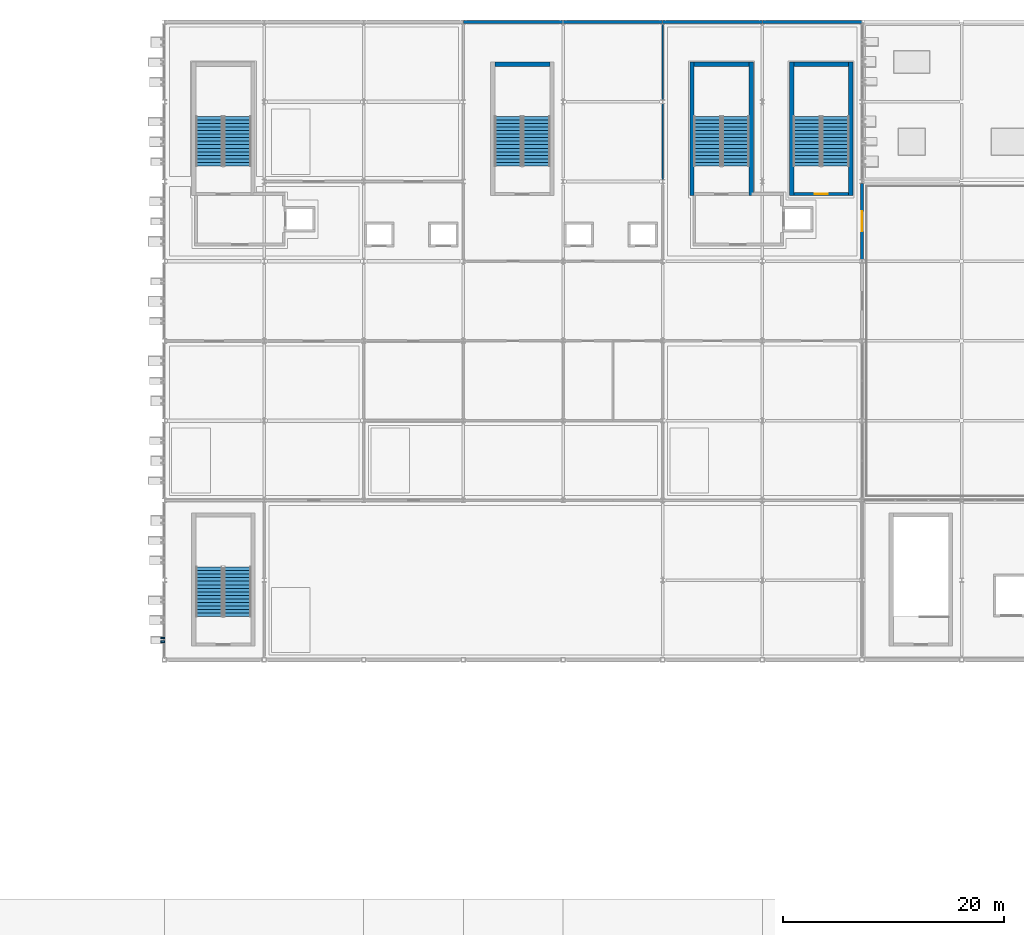
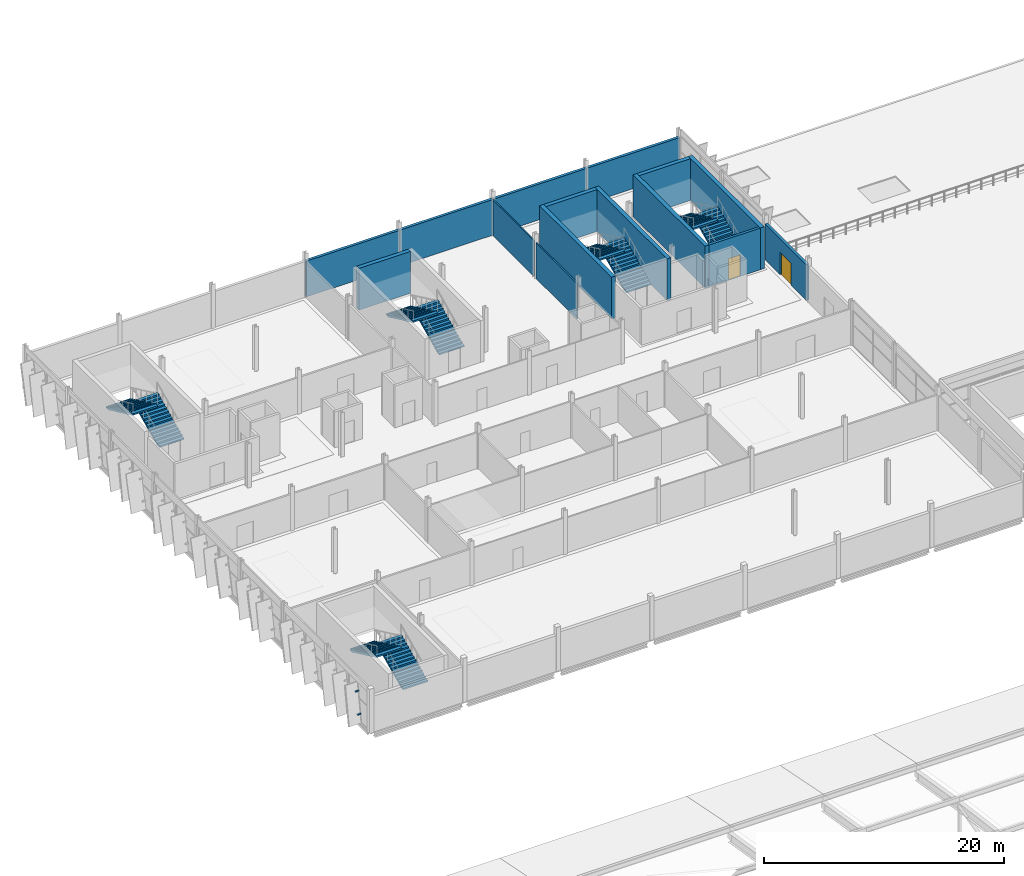
# One storey, part 68 of 78: 15 walls, 10 stair flights, 2 discrete accessories, 2 doors, 2 openings, 5 elements without a shape of their own.
"""IFC4 building model written with IfcOpenShell, lengths in metres."""

from ifc_helpers import new_model, si_unit, direction, frame, frame_2d, origin, origin_2d, place, context, subcontext, project, spatial, polyline, rectangle, outline, extrude, material, layer, layer_set, type_object, element, fill, aggregate, save


model = new_model("IFC4")

# Units and contexts
model_context = context("Model", 3, precision=1e-05, world=origin(), true_north=direction((0.0, 1.0)))
body_context = subcontext(model_context, "Body", "Model", "MODEL_VIEW")
ifc_project = project(units=[si_unit("LENGTHUNIT", "METRE"), si_unit("AREAUNIT", "SQUARE_METRE"), si_unit("VOLUMEUNIT", "CUBIC_METRE"), si_unit("PLANEANGLEUNIT", "RADIAN"), si_unit("MASSUNIT", "GRAM", prefix="KILO")], contexts=[model_context])

# Site, building, storey
site_placement = place(None, origin())
site = spatial("IfcSite", under=ifc_project, at=site_placement, CompositionType="ELEMENT")
building_placement = place(site_placement, origin())
building = spatial("IfcBuilding", under=site, at=building_placement, Name="Celestram Park Convention Centre", CompositionType="ELEMENT")
storey_placement = place(building_placement, frame((0.0, 0.0, 19.800048828125)))
storey = spatial("IfcBuildingStorey", under=building, at=storey_placement, Name="L04", CompositionType="ELEMENT", Elevation=19.800048828125)

# Wall, opening, door
ifc_material_1 = material(Name="Concrete Block Masonry C25/30", Category="masonry")
ifc_layer_1 = layer(ifc_material_1, 0.25)
ifc_layer_set_1 = layer_set([ifc_layer_1], Name="Concrete Block Masonry C25/30")
wall_type_1 = type_object("IfcWallType", Name="ARC-WL-COR250", PredefinedType="STANDARD", material=ifc_layer_set_1)
wall_1_placement = place(storey_placement, frame((92.840087890625, 150.074951171875, 0.0), z_axis=(0.0, 0.0, 1.0), x_axis=(1.0, 0.0, 0.0)))
wall_1 = element("IfcWall", 1, at=wall_1_placement, inside=storey, type_object=wall_type_1, Name="Core S19 stair entrance wall", PredefinedType="STANDARD", context=body_context, shape_type="SweptSolid", body=[
    extrude(rectangle(XDim=4.9599609375, YDim=0.25, at=frame_2d((2.47998046875, 0.0))), origin(), (0.0, 0.0, 1.0), 4.25),
])
opening_1_placement = place(wall_1_placement, frame((1.905029296875, 0.0, 0.0)))
opening_1 = element("IfcOpeningElement", 2, at=opening_1_placement, cuts=wall_1, Name="Opening D-ST1", PredefinedType="OPENING", context=body_context, shape_type="SweptSolid", body=[
    extrude(rectangle(XDim=1.14990234375, YDim=2.199951171875, at=frame_2d((0.574951171875, 1.10009765625))), frame((0.0, 0.135009765625, 0.0), z_axis=(0.0, -1.0, 0.0), x_axis=(1.0, 0.0, 0.0)), (0.0, 0.0, 1.0), 0.27001953125),
])
ifc_material_2 = material(Name="Fire-Rated Hollow Metal Steel ASTM A653", Category="steel")
door_type_1 = type_object("IfcDoorType", Name="ARC-DR-ST115", OperationType="NOTDEFINED", PredefinedType="DOOR", material=ifc_material_2)
door_1_placement = place(opening_1_placement, origin())
door_1 = element("IfcDoor", 3, at=door_1_placement, inside=storey, type_object=door_type_1, Name="Exit stair ST-19 fire door", OperationType="SINGLE_SWING_RIGHT", OverallHeight=2.199951171875, OverallWidth=1.14990234375, PredefinedType="DOOR", context=body_context, shape_type="SweptSolid", body=[
    extrude(rectangle(XDim=1.14990234375, YDim=2.199951171875, at=frame_2d((0.574951171875, 1.10009765625))), frame((0.0, 0.02490234375, 0.0), z_axis=(0.0, -1.0, 0.0), x_axis=(1.0, 0.0, 0.0)), (0.0, 0.0, 1.0), 0.050048828125),
])
fill(opening_1, door_1)

# Walls
ifc_material_3 = material(Name="Precast Concrete C40/50", Category="concrete")
ifc_layer_2 = layer(ifc_material_3, 0.260009765625)
ifc_layer_set_2 = layer_set([ifc_layer_2], Name="Precast Concrete C40/50")
wall_type_2 = type_object("IfcWallType", Name="ARC-WL-EXT260", PredefinedType="STANDARD", material=ifc_layer_set_2)
wall_2_placement = place(storey_placement, frame((63.006103515625, 165.60009765625, 0.0), z_axis=(0.0, 0.0, 1.0), x_axis=(1.0, 0.0, 0.0)))
element("IfcWall", 4, at=wall_2_placement, inside=storey, type_object=wall_type_2, Name="Bush-hammered precast exterior wall WL-L04-EW229", PredefinedType="STANDARD", context=body_context, shape_type="SweptSolid", body=[
    extrude(rectangle(XDim=8.989013671875, YDim=0.260009765625, at=frame_2d((4.49462890625, 0.0))), origin(), (0.0, 0.0, 1.0), 3.64794921875),
])
for number, where, z_axis, x_axis, name in (
    (5, (72.0048828125, 165.60009765625, 0.0), (0.0, 0.0, 1.0), (1.0, 0.0, 0.0), "Bush-hammered precast exterior wall WL-L04-EW230"),
    (6, (81.0048828125, 165.60009765625, 0.0), (0.0, 0.0, 1.0), (1.0, 0.0, 0.0), "Bush-hammered precast exterior wall WL-L04-EW231"),
    (7, (90.0048828125, 165.60009765625, 0.0), (0.0, 0.0, 1.0), (1.0, 0.0, 0.0), "Bush-hammered precast exterior wall WL-L04-EW232"),
):
    element("IfcWall", number, at=place(storey_placement, frame(where, z_axis=z_axis, x_axis=x_axis)), inside=storey, type_object=wall_type_2, Name=name, PredefinedType="STANDARD", context=body_context, shape_type="SweptSolid", body=[
        extrude(rectangle(XDim=8.990234375, YDim=0.260009765625, at=frame_2d((4.4951171875, 0.0))), origin(), (0.0, 0.0, 1.0), 3.64794921875),
    ])

# Wall, opening, door
wall_3_placement = place(storey_placement, frame((99.0, 151.02392578125, 0.0), z_axis=(0.0, 0.0, 1.0), x_axis=(0.0, -1.0, 0.0)))
wall_3 = element("IfcWall", 8, at=wall_3_placement, inside=storey, type_object=wall_type_2, Name="Bush-hammered precast exterior wall WL-L04-EW233", PredefinedType="STANDARD", context=body_context, shape_type="SweptSolid", body=[
    extrude(rectangle(XDim=6.847900390625, YDim=0.260009765625, at=frame_2d((3.423828125, 0.0))), origin(), (0.0, 0.0, 1.0), 3.64794921875),
])
opening_2_placement = place(wall_3_placement, frame((2.52392578125, 0.0, 0.0)))
opening_2 = element("IfcOpeningElement", 9, at=opening_2_placement, cuts=wall_3, Name="Opening D-TR1", PredefinedType="OPENING", context=body_context, shape_type="SweptSolid", body=[
    extrude(rectangle(XDim=1.800048828125, YDim=2.25, at=frame_2d((0.89990234375, 1.125))), frame((0.0, 0.139892578125, 0.0), z_axis=(0.0, -1.0, 0.0), x_axis=(1.0, 0.0, 0.0)), (0.0, 0.0, 1.0), 0.280029296875),
])
ifc_material_4 = material(Name="Anodised Aluminium & Tempered Glass", Category="aluminium")
door_type_2 = type_object("IfcDoorType", Name="ARC-DR-TR1800", OperationType="NOTDEFINED", PredefinedType="DOOR", material=ifc_material_4)
door_2_placement = place(opening_2_placement, origin())
door_2 = element("IfcDoor", 10, at=door_2_placement, inside=storey, type_object=door_type_2, Name="Planted roof terrace door DR-L04-TR01", OperationType="DOUBLE_DOOR_SINGLE_SWING", OverallHeight=2.25, OverallWidth=1.800048828125, PredefinedType="DOOR", context=body_context, shape_type="SweptSolid", body=[
    extrude(rectangle(XDim=1.800048828125, YDim=2.25, at=frame_2d((0.89990234375, 1.125))), frame((0.0, 0.02490234375, 0.0), z_axis=(0.0, -1.0, 0.0), x_axis=(1.0, 0.0, 0.0)), (0.0, 0.0, 1.0), 0.050048828125),
])
fill(opening_2, door_2)

# Walls
ifc_material_5 = material(Name="Standard Gypsum & Steel Stud 120 mm", Category="steel")
ifc_layer_3 = layer(ifc_material_5, 0.1201171875)
ifc_layer_set_3 = layer_set([ifc_layer_3], Name="Standard Gypsum & Steel Stud 120 mm")
wall_type_3 = type_object("IfcWallType", Name="ARC-WL-PRT120", PredefinedType="PARTITIONING", material=ifc_layer_set_3)
for number, where, z_axis, x_axis, name in (
    (11, (81.0, 151.3759765625, 0.0), (0.0, 0.0, 1.0), (0.0, 1.0, 0.0), "Interior partition WL-L04-IN0981"),
    (12, (81.0, 158.575927734375, 0.0), (0.0, 0.0, 1.0), (0.0, 1.0, 0.0), "Interior partition WL-L04-IN0982"),
):
    element("IfcWall", number, at=place(storey_placement, frame(where, z_axis=z_axis, x_axis=x_axis)), inside=storey, type_object=wall_type_3, Name=name, PredefinedType="PARTITIONING", context=body_context, shape_type="SweptSolid", body=[
        extrude(rectangle(XDim=6.84814453125, YDim=0.1201171875, at=frame_2d((3.424072265625, 0.0))), origin(), (0.0, 0.0, 1.0), 3.64794921875),
    ])
ifc_material_6 = material(Name="Concrete C40/50", Category="concrete")
ifc_layer_4 = layer(ifc_material_6, 0.3798828125)
ifc_layer_set_4 = layer_set([ifc_layer_4], Name="Concrete C40/50")
wall_type_4 = type_object("IfcWallType", Name="STR-WL-SHR380", PredefinedType="SHEAR", material=ifc_layer_set_4)
for number, where, z_axis, x_axis, name in (
    (13, (83.64990234375, 149.949951171875, 0.0), (0.0, 0.0, 1.0), (0.0, 1.0, 0.0), "Core C2 shear wall L"),
    (14, (88.989990234375, 161.97998046875, 0.0), (0.0, 0.0, 1.0), (0.0, -1.0, 0.0), "Core C2 shear wall R"),
):
    element("IfcWall", number, at=place(storey_placement, frame(where, z_axis=z_axis, x_axis=x_axis)), inside=storey, type_object=wall_type_4, Name=name, PredefinedType="SHEAR", context=body_context, shape_type="SweptSolid", body=[
        extrude(rectangle(XDim=12.030029296875, YDim=0.3798828125, at=frame_2d((6.01513671875, 0.0))), origin(), (0.0, 0.0, 1.0), 4.260009765625),
    ])
for number, where, z_axis, x_axis, name in (
    (15, (83.840087890625, 161.7900390625, 0.0), (0.0, 0.0, 1.0), (1.0, 0.0, 0.0), "Core C2 shear wall F"),
    (16, (65.840087890625, 161.7900390625, 0.0), (0.0, 0.0, 1.0), (1.0, 0.0, 0.0), "Core S14 shear wall F"),
):
    element("IfcWall", number, at=place(storey_placement, frame(where, z_axis=z_axis, x_axis=x_axis)), inside=storey, type_object=wall_type_4, Name=name, PredefinedType="SHEAR", context=body_context, shape_type="SweptSolid", body=[
        extrude(rectangle(XDim=4.9599609375, YDim=0.3798828125, at=frame_2d((2.47998046875, 0.0))), origin(), (0.0, 0.0, 1.0), 4.260009765625),
    ])
for number, where, z_axis, x_axis, name in (
    (17, (92.64990234375, 149.949951171875, 0.0), (0.0, 0.0, 1.0), (0.0, 1.0, 0.0), "Core S19 shear wall L"),
    (18, (97.989990234375, 161.97998046875, 0.0), (0.0, 0.0, 1.0), (0.0, -1.0, 0.0), "Core S19 shear wall R"),
):
    element("IfcWall", number, at=place(storey_placement, frame(where, z_axis=z_axis, x_axis=x_axis)), inside=storey, type_object=wall_type_4, Name=name, PredefinedType="SHEAR", context=body_context, shape_type="SweptSolid", body=[
        extrude(rectangle(XDim=12.030029296875, YDim=0.3798828125, at=frame_2d((6.01513671875, 0.0))), origin(), (0.0, 0.0, 1.0), 4.260009765625),
    ])
wall_4_placement = place(storey_placement, frame((92.840087890625, 161.7900390625, 0.0), z_axis=(0.0, 0.0, 1.0), x_axis=(1.0, 0.0, 0.0)))
element("IfcWall", 19, at=wall_4_placement, inside=storey, type_object=wall_type_4, Name="Core S19 shear wall F", PredefinedType="SHEAR", context=body_context, shape_type="SweptSolid", body=[
    extrude(rectangle(XDim=4.9599609375, YDim=0.3798828125, at=frame_2d((2.47998046875, 0.0))), origin(), (0.0, 0.0, 1.0), 4.260009765625),
])

# Stair, stair flights
stair_type = type_object("IfcStairType", Name="ARC-STR-DOG45", PredefinedType="HALF_TURN_STAIR", material=ifc_material_3)
stair_1_placement = place(storey_placement, origin())
stair_1 = element("IfcStair", 20, at=stair_1_placement, inside=storey, type_object=stair_type, Name="L04 Core C1 stair ST-01", PredefinedType="HALF_TURN_STAIR")
stair_flight_type = type_object("IfcStairFlightType", Name="ARC-FLT-15R", PredefinedType="STRAIGHT", material=ifc_material_3)
stair_flight_1_placement = place(storey_placement, frame((42.60009765625, 152.60009765625, 0.0), z_axis=(0.0, 0.0, 1.0), x_axis=(0.0, 1.0, 0.0)))
stair_flight_1 = element("IfcStairFlight", 21, at=stair_flight_1_placement, type_object=stair_flight_type, Name="ST-01 flight 1", NumberOfRisers=15, NumberOfTreads=14, PredefinedType="STRAIGHT", RiserHeight=0.15, TreadLength=0.32, context=body_context, shape_type="SweptSolid", body=[
    extrude(outline(polyline([(0.0, 0.0), (0.0, 0.14990234375), (0.320068359375, 0.14990234375), (0.320068359375, 0.300048828125), (0.639892578125, 0.300048828125), (0.639892578125, 0.449951171875), (0.9599609375, 0.449951171875), (0.9599609375, 0.60009765625), (1.280029296875, 0.60009765625), (1.280029296875, 0.75), (1.60009765625, 0.75), (1.60009765625, 0.89990234375), (1.919921875, 0.89990234375), (1.919921875, 1.050048828125), (2.239990234375, 1.050048828125), (2.239990234375, 1.199951171875), (2.56005859375, 1.199951171875), (2.56005859375, 1.35009765625), (2.8798828125, 1.35009765625), (2.8798828125, 1.5), (3.199951171875, 1.5), (3.199951171875, 1.64990234375), (3.52001953125, 1.64990234375), (3.52001953125, 1.800048828125), (3.840087890625, 1.800048828125), (3.840087890625, 1.949951171875), (4.159912109375, 1.949951171875), (4.159912109375, 2.10009765625), (4.47998046875, 2.10009765625), (4.47998046875, 2.25), (4.47998046875, 1.934326171875), (0.353271484375, 0.0), (0.0, 0.0)])), frame((0.0, 1.199951171875, 0.0), z_axis=(0.0, -1.0, 0.0), x_axis=(1.0, 0.0, 0.0)), (0.0, 0.0, 1.0), 2.39990234375),
])
stair_flight_2_placement = place(storey_placement, frame((40.0400390625, 157.080078125, 2.25), z_axis=(0.0, 0.0, 1.0), x_axis=(0.0, -1.0, 0.0)))
stair_flight_2 = element("IfcStairFlight", 22, at=stair_flight_2_placement, type_object=stair_flight_type, Name="ST-01 flight 2", NumberOfRisers=15, NumberOfTreads=14, PredefinedType="STRAIGHT", RiserHeight=0.15, TreadLength=0.32, context=body_context, shape_type="SweptSolid", body=[
    extrude(outline(polyline([(0.0, 0.0), (0.0, 0.14990234375), (0.320068359375, 0.14990234375), (0.320068359375, 0.300048828125), (0.639892578125, 0.300048828125), (0.639892578125, 0.449951171875), (0.9599609375, 0.449951171875), (0.9599609375, 0.60009765625), (1.280029296875, 0.60009765625), (1.280029296875, 0.75), (1.60009765625, 0.75), (1.60009765625, 0.89990234375), (1.919921875, 0.89990234375), (1.919921875, 1.050048828125), (2.239990234375, 1.050048828125), (2.239990234375, 1.199951171875), (2.56005859375, 1.199951171875), (2.56005859375, 1.35009765625), (2.8798828125, 1.35009765625), (2.8798828125, 1.5), (3.199951171875, 1.5), (3.199951171875, 1.64990234375), (3.52001953125, 1.64990234375), (3.52001953125, 1.800048828125), (3.840087890625, 1.800048828125), (3.840087890625, 1.949951171875), (4.159912109375, 1.949951171875), (4.159912109375, 2.10009765625), (4.47998046875, 2.10009765625), (4.47998046875, 2.25), (4.47998046875, 1.934326171875), (0.353271484375, 0.0), (0.0, 0.0)])), frame((0.0, 1.199951171875, 0.0), z_axis=(0.0, -1.0, 0.0), x_axis=(1.0, 0.0, 0.0)), (0.0, 0.0, 1.0), 2.39990234375),
])
aggregate(stair_1, [stair_flight_1, stair_flight_2])

stair_2_placement = place(storey_placement, origin())
stair_2 = element("IfcStair", 23, at=stair_2_placement, inside=storey, type_object=stair_type, Name="L04 Core C2 stair ST-02", PredefinedType="HALF_TURN_STAIR")
stair_flight_3_placement = place(storey_placement, frame((87.60009765625, 152.60009765625, 0.0), z_axis=(0.0, 0.0, 1.0), x_axis=(0.0, 1.0, 0.0)))
stair_flight_3 = element("IfcStairFlight", 24, at=stair_flight_3_placement, type_object=stair_flight_type, Name="ST-02 flight 1", NumberOfRisers=15, NumberOfTreads=14, PredefinedType="STRAIGHT", RiserHeight=0.15, TreadLength=0.32, context=body_context, shape_type="SweptSolid", body=[
    extrude(outline(polyline([(0.0, 0.0), (0.0, 0.14990234375), (0.320068359375, 0.14990234375), (0.320068359375, 0.300048828125), (0.639892578125, 0.300048828125), (0.639892578125, 0.449951171875), (0.9599609375, 0.449951171875), (0.9599609375, 0.60009765625), (1.280029296875, 0.60009765625), (1.280029296875, 0.75), (1.60009765625, 0.75), (1.60009765625, 0.89990234375), (1.919921875, 0.89990234375), (1.919921875, 1.050048828125), (2.239990234375, 1.050048828125), (2.239990234375, 1.199951171875), (2.56005859375, 1.199951171875), (2.56005859375, 1.35009765625), (2.8798828125, 1.35009765625), (2.8798828125, 1.5), (3.199951171875, 1.5), (3.199951171875, 1.64990234375), (3.52001953125, 1.64990234375), (3.52001953125, 1.800048828125), (3.840087890625, 1.800048828125), (3.840087890625, 1.949951171875), (4.159912109375, 1.949951171875), (4.159912109375, 2.10009765625), (4.47998046875, 2.10009765625), (4.47998046875, 2.25), (4.47998046875, 1.934326171875), (0.353271484375, 0.0), (0.0, 0.0)])), frame((0.0, 1.199951171875, 0.0), z_axis=(0.0, -1.0, 0.0), x_axis=(1.0, 0.0, 0.0)), (0.0, 0.0, 1.0), 2.39990234375),
])
stair_flight_4_placement = place(storey_placement, frame((85.0400390625, 157.080078125, 2.25), z_axis=(0.0, 0.0, 1.0), x_axis=(0.0, -1.0, 0.0)))
stair_flight_4 = element("IfcStairFlight", 25, at=stair_flight_4_placement, type_object=stair_flight_type, Name="ST-02 flight 2", NumberOfRisers=15, NumberOfTreads=14, PredefinedType="STRAIGHT", RiserHeight=0.15, TreadLength=0.32, context=body_context, shape_type="SweptSolid", body=[
    extrude(outline(polyline([(0.0, 0.0), (0.0, 0.14990234375), (0.320068359375, 0.14990234375), (0.320068359375, 0.300048828125), (0.639892578125, 0.300048828125), (0.639892578125, 0.449951171875), (0.9599609375, 0.449951171875), (0.9599609375, 0.60009765625), (1.280029296875, 0.60009765625), (1.280029296875, 0.75), (1.60009765625, 0.75), (1.60009765625, 0.89990234375), (1.919921875, 0.89990234375), (1.919921875, 1.050048828125), (2.239990234375, 1.050048828125), (2.239990234375, 1.199951171875), (2.56005859375, 1.199951171875), (2.56005859375, 1.35009765625), (2.8798828125, 1.35009765625), (2.8798828125, 1.5), (3.199951171875, 1.5), (3.199951171875, 1.64990234375), (3.52001953125, 1.64990234375), (3.52001953125, 1.800048828125), (3.840087890625, 1.800048828125), (3.840087890625, 1.949951171875), (4.159912109375, 1.949951171875), (4.159912109375, 2.10009765625), (4.47998046875, 2.10009765625), (4.47998046875, 2.25), (4.47998046875, 1.934326171875), (0.353271484375, 0.0), (0.0, 0.0)])), frame((0.0, 1.199951171875, 0.0), z_axis=(0.0, -1.0, 0.0), x_axis=(1.0, 0.0, 0.0)), (0.0, 0.0, 1.0), 2.39990234375),
])
aggregate(stair_2, [stair_flight_3, stair_flight_4])

stair_3_placement = place(storey_placement, origin())
stair_3 = element("IfcStair", 26, at=stair_3_placement, inside=storey, type_object=stair_type, Name="L04 Core S13 stair ST-13", PredefinedType="HALF_TURN_STAIR")
stair_flight_5_placement = place(storey_placement, frame((42.60009765625, 111.89990234375, 0.0), z_axis=(0.0, 0.0, 1.0), x_axis=(0.0, 1.0, 0.0)))
stair_flight_5 = element("IfcStairFlight", 27, at=stair_flight_5_placement, type_object=stair_flight_type, Name="ST-13 flight 1", NumberOfRisers=15, NumberOfTreads=14, PredefinedType="STRAIGHT", RiserHeight=0.15, TreadLength=0.32, context=body_context, shape_type="SweptSolid", body=[
    extrude(outline(polyline([(0.0, 0.0), (0.0, 0.14990234375), (0.320068359375, 0.14990234375), (0.320068359375, 0.300048828125), (0.639892578125, 0.300048828125), (0.639892578125, 0.449951171875), (0.9599609375, 0.449951171875), (0.9599609375, 0.60009765625), (1.280029296875, 0.60009765625), (1.280029296875, 0.75), (1.60009765625, 0.75), (1.60009765625, 0.89990234375), (1.919921875, 0.89990234375), (1.919921875, 1.050048828125), (2.239990234375, 1.050048828125), (2.239990234375, 1.199951171875), (2.56005859375, 1.199951171875), (2.56005859375, 1.35009765625), (2.8798828125, 1.35009765625), (2.8798828125, 1.5), (3.199951171875, 1.5), (3.199951171875, 1.64990234375), (3.52001953125, 1.64990234375), (3.52001953125, 1.800048828125), (3.840087890625, 1.800048828125), (3.840087890625, 1.949951171875), (4.159912109375, 1.949951171875), (4.159912109375, 2.10009765625), (4.47998046875, 2.10009765625), (4.47998046875, 2.25), (4.47998046875, 1.934326171875), (0.353271484375, 0.0), (0.0, 0.0)])), frame((0.0, 1.199951171875, 0.0), z_axis=(0.0, -1.0, 0.0), x_axis=(1.0, 0.0, 0.0)), (0.0, 0.0, 1.0), 2.39990234375),
])
stair_flight_6_placement = place(storey_placement, frame((40.0400390625, 116.3798828125, 2.25), z_axis=(0.0, 0.0, 1.0), x_axis=(0.0, -1.0, 0.0)))
stair_flight_6 = element("IfcStairFlight", 28, at=stair_flight_6_placement, type_object=stair_flight_type, Name="ST-13 flight 2", NumberOfRisers=15, NumberOfTreads=14, PredefinedType="STRAIGHT", RiserHeight=0.15, TreadLength=0.32, context=body_context, shape_type="SweptSolid", body=[
    extrude(outline(polyline([(0.0, 0.0), (0.0, 0.14990234375), (0.320068359375, 0.14990234375), (0.320068359375, 0.300048828125), (0.639892578125, 0.300048828125), (0.639892578125, 0.449951171875), (0.9599609375, 0.449951171875), (0.9599609375, 0.60009765625), (1.280029296875, 0.60009765625), (1.280029296875, 0.75), (1.60009765625, 0.75), (1.60009765625, 0.89990234375), (1.919921875, 0.89990234375), (1.919921875, 1.050048828125), (2.239990234375, 1.050048828125), (2.239990234375, 1.199951171875), (2.56005859375, 1.199951171875), (2.56005859375, 1.35009765625), (2.8798828125, 1.35009765625), (2.8798828125, 1.5), (3.199951171875, 1.5), (3.199951171875, 1.64990234375), (3.52001953125, 1.64990234375), (3.52001953125, 1.800048828125), (3.840087890625, 1.800048828125), (3.840087890625, 1.949951171875), (4.159912109375, 1.949951171875), (4.159912109375, 2.10009765625), (4.47998046875, 2.10009765625), (4.47998046875, 2.25), (4.47998046875, 1.934326171875), (0.353271484375, 0.0), (0.0, 0.0)])), frame((0.0, 1.199951171875, 0.0), z_axis=(0.0, -1.0, 0.0), x_axis=(1.0, 0.0, 0.0)), (0.0, 0.0, 1.0), 2.39990234375),
])
aggregate(stair_3, [stair_flight_5, stair_flight_6])

stair_4_placement = place(storey_placement, origin())
stair_4 = element("IfcStair", 29, at=stair_4_placement, inside=storey, type_object=stair_type, Name="L04 Core S14 stair ST-14", PredefinedType="HALF_TURN_STAIR")
stair_flight_7_placement = place(storey_placement, frame((69.60009765625, 152.60009765625, 0.0), z_axis=(0.0, 0.0, 1.0), x_axis=(0.0, 1.0, 0.0)))
stair_flight_7 = element("IfcStairFlight", 30, at=stair_flight_7_placement, type_object=stair_flight_type, Name="ST-14 flight 1", NumberOfRisers=15, NumberOfTreads=14, PredefinedType="STRAIGHT", RiserHeight=0.15, TreadLength=0.32, context=body_context, shape_type="SweptSolid", body=[
    extrude(outline(polyline([(0.0, 0.0), (0.0, 0.14990234375), (0.320068359375, 0.14990234375), (0.320068359375, 0.300048828125), (0.639892578125, 0.300048828125), (0.639892578125, 0.449951171875), (0.9599609375, 0.449951171875), (0.9599609375, 0.60009765625), (1.280029296875, 0.60009765625), (1.280029296875, 0.75), (1.60009765625, 0.75), (1.60009765625, 0.89990234375), (1.919921875, 0.89990234375), (1.919921875, 1.050048828125), (2.239990234375, 1.050048828125), (2.239990234375, 1.199951171875), (2.56005859375, 1.199951171875), (2.56005859375, 1.35009765625), (2.8798828125, 1.35009765625), (2.8798828125, 1.5), (3.199951171875, 1.5), (3.199951171875, 1.64990234375), (3.52001953125, 1.64990234375), (3.52001953125, 1.800048828125), (3.840087890625, 1.800048828125), (3.840087890625, 1.949951171875), (4.159912109375, 1.949951171875), (4.159912109375, 2.10009765625), (4.47998046875, 2.10009765625), (4.47998046875, 2.25), (4.47998046875, 1.934326171875), (0.353271484375, 0.0), (0.0, 0.0)])), frame((0.0, 1.199951171875, 0.0), z_axis=(0.0, -1.0, 0.0), x_axis=(1.0, 0.0, 0.0)), (0.0, 0.0, 1.0), 2.39990234375),
])
stair_flight_8_placement = place(storey_placement, frame((67.0400390625, 157.080078125, 2.25), z_axis=(0.0, 0.0, 1.0), x_axis=(0.0, -1.0, 0.0)))
stair_flight_8 = element("IfcStairFlight", 31, at=stair_flight_8_placement, type_object=stair_flight_type, Name="ST-14 flight 2", NumberOfRisers=15, NumberOfTreads=14, PredefinedType="STRAIGHT", RiserHeight=0.15, TreadLength=0.32, context=body_context, shape_type="SweptSolid", body=[
    extrude(outline(polyline([(0.0, 0.0), (0.0, 0.14990234375), (0.320068359375, 0.14990234375), (0.320068359375, 0.300048828125), (0.639892578125, 0.300048828125), (0.639892578125, 0.449951171875), (0.9599609375, 0.449951171875), (0.9599609375, 0.60009765625), (1.280029296875, 0.60009765625), (1.280029296875, 0.75), (1.60009765625, 0.75), (1.60009765625, 0.89990234375), (1.919921875, 0.89990234375), (1.919921875, 1.050048828125), (2.239990234375, 1.050048828125), (2.239990234375, 1.199951171875), (2.56005859375, 1.199951171875), (2.56005859375, 1.35009765625), (2.8798828125, 1.35009765625), (2.8798828125, 1.5), (3.199951171875, 1.5), (3.199951171875, 1.64990234375), (3.52001953125, 1.64990234375), (3.52001953125, 1.800048828125), (3.840087890625, 1.800048828125), (3.840087890625, 1.949951171875), (4.159912109375, 1.949951171875), (4.159912109375, 2.10009765625), (4.47998046875, 2.10009765625), (4.47998046875, 2.25), (4.47998046875, 1.934326171875), (0.353271484375, 0.0), (0.0, 0.0)])), frame((0.0, 1.199951171875, 0.0), z_axis=(0.0, -1.0, 0.0), x_axis=(1.0, 0.0, 0.0)), (0.0, 0.0, 1.0), 2.39990234375),
])
aggregate(stair_4, [stair_flight_7, stair_flight_8])

stair_5_placement = place(storey_placement, origin())
stair_5 = element("IfcStair", 32, at=stair_5_placement, inside=storey, type_object=stair_type, Name="L04 Core S19 stair ST-19", PredefinedType="HALF_TURN_STAIR")
stair_flight_9_placement = place(storey_placement, frame((96.60009765625, 152.60009765625, 0.0), z_axis=(0.0, 0.0, 1.0), x_axis=(0.0, 1.0, 0.0)))
stair_flight_9 = element("IfcStairFlight", 33, at=stair_flight_9_placement, type_object=stair_flight_type, Name="ST-19 flight 1", NumberOfRisers=15, NumberOfTreads=14, PredefinedType="STRAIGHT", RiserHeight=0.15, TreadLength=0.32, context=body_context, shape_type="SweptSolid", body=[
    extrude(outline(polyline([(0.0, 0.0), (0.0, 0.14990234375), (0.320068359375, 0.14990234375), (0.320068359375, 0.300048828125), (0.639892578125, 0.300048828125), (0.639892578125, 0.449951171875), (0.9599609375, 0.449951171875), (0.9599609375, 0.60009765625), (1.280029296875, 0.60009765625), (1.280029296875, 0.75), (1.60009765625, 0.75), (1.60009765625, 0.89990234375), (1.919921875, 0.89990234375), (1.919921875, 1.050048828125), (2.239990234375, 1.050048828125), (2.239990234375, 1.199951171875), (2.56005859375, 1.199951171875), (2.56005859375, 1.35009765625), (2.8798828125, 1.35009765625), (2.8798828125, 1.5), (3.199951171875, 1.5), (3.199951171875, 1.64990234375), (3.52001953125, 1.64990234375), (3.52001953125, 1.800048828125), (3.840087890625, 1.800048828125), (3.840087890625, 1.949951171875), (4.159912109375, 1.949951171875), (4.159912109375, 2.10009765625), (4.47998046875, 2.10009765625), (4.47998046875, 2.25), (4.47998046875, 1.934326171875), (0.353271484375, 0.0), (0.0, 0.0)])), frame((0.0, 1.199951171875, 0.0), z_axis=(0.0, -1.0, 0.0), x_axis=(1.0, 0.0, 0.0)), (0.0, 0.0, 1.0), 2.39990234375),
])
stair_flight_10_placement = place(storey_placement, frame((94.0400390625, 157.080078125, 2.25), z_axis=(0.0, 0.0, 1.0), x_axis=(0.0, -1.0, 0.0)))
stair_flight_10 = element("IfcStairFlight", 34, at=stair_flight_10_placement, type_object=stair_flight_type, Name="ST-19 flight 2", NumberOfRisers=15, NumberOfTreads=14, PredefinedType="STRAIGHT", RiserHeight=0.15, TreadLength=0.32, context=body_context, shape_type="SweptSolid", body=[
    extrude(outline(polyline([(0.0, 0.0), (0.0, 0.14990234375), (0.320068359375, 0.14990234375), (0.320068359375, 0.300048828125), (0.639892578125, 0.300048828125), (0.639892578125, 0.449951171875), (0.9599609375, 0.449951171875), (0.9599609375, 0.60009765625), (1.280029296875, 0.60009765625), (1.280029296875, 0.75), (1.60009765625, 0.75), (1.60009765625, 0.89990234375), (1.919921875, 0.89990234375), (1.919921875, 1.050048828125), (2.239990234375, 1.050048828125), (2.239990234375, 1.199951171875), (2.56005859375, 1.199951171875), (2.56005859375, 1.35009765625), (2.8798828125, 1.35009765625), (2.8798828125, 1.5), (3.199951171875, 1.5), (3.199951171875, 1.64990234375), (3.52001953125, 1.64990234375), (3.52001953125, 1.800048828125), (3.840087890625, 1.800048828125), (3.840087890625, 1.949951171875), (4.159912109375, 1.949951171875), (4.159912109375, 2.10009765625), (4.47998046875, 2.10009765625), (4.47998046875, 2.25), (4.47998046875, 1.934326171875), (0.353271484375, 0.0), (0.0, 0.0)])), frame((0.0, 1.199951171875, 0.0), z_axis=(0.0, -1.0, 0.0), x_axis=(1.0, 0.0, 0.0)), (0.0, 0.0, 1.0), 2.39990234375),
])
aggregate(stair_5, [stair_flight_9, stair_flight_10])

# Discrete accessories
ifc_material_7 = material(Name="Steel ASTM A500 Grade C", Category="steel")
discrete_accessory_type = type_object("IfcDiscreteAccessoryType", Name="ARC-BRK-OUT400", PredefinedType="BRACKET", material=ifc_material_7)
for number, where, z_axis, x_axis, name in (
    (35, (35.85009765625, 109.63232421875, 0.8056640625), (0.0, 0.0, 1.0), (-1.0, 0.0, 0.0), "Solar fin outrigger bracket BK-L04-1457"),
    (36, (35.85009765625, 109.981201171875, 2.95849609375), (0.0, 0.0, 1.0), (-1.0, 0.0, 0.0), "Solar fin outrigger bracket BK-L04-1458"),
):
    element("IfcDiscreteAccessory", number, at=place(storey_placement, frame(where, z_axis=z_axis, x_axis=x_axis)), inside=storey, type_object=discrete_accessory_type, Name=name, PredefinedType="BRACKET", context=body_context, shape_type="SweptSolid", body=[
        extrude(rectangle(XDim=0.39990234375, YDim=0.139892578125, at=origin_2d()), origin(), (0.0, 0.0, 1.0), 0.139892578125),
    ])

save(model, "model.ifc")
